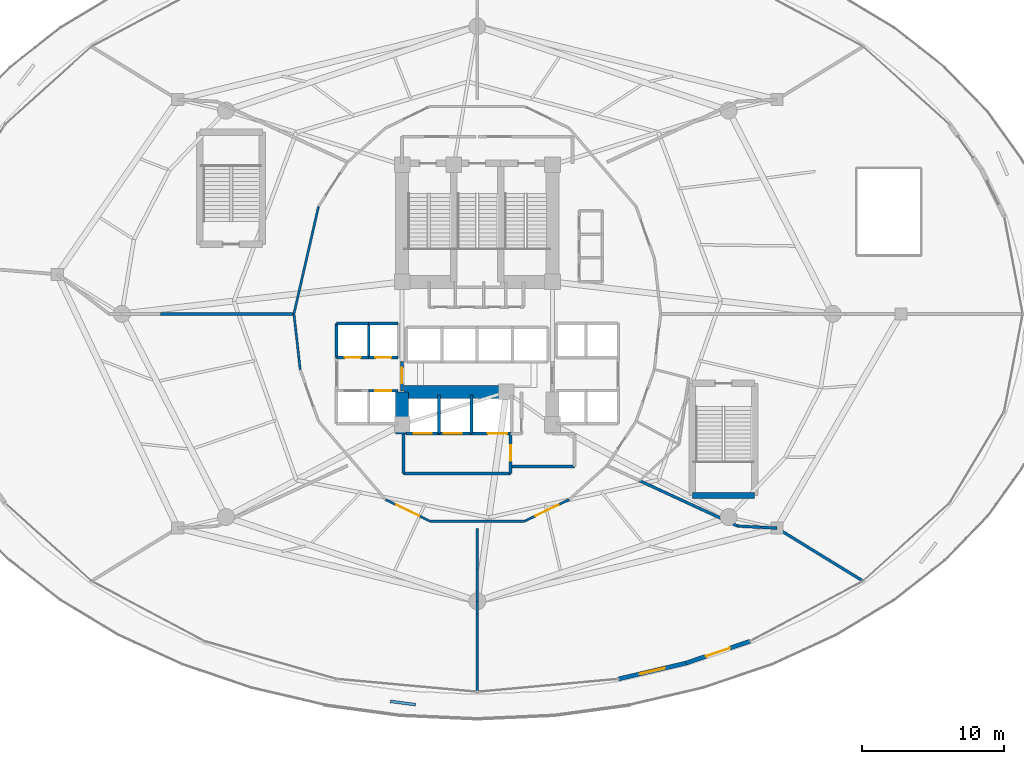
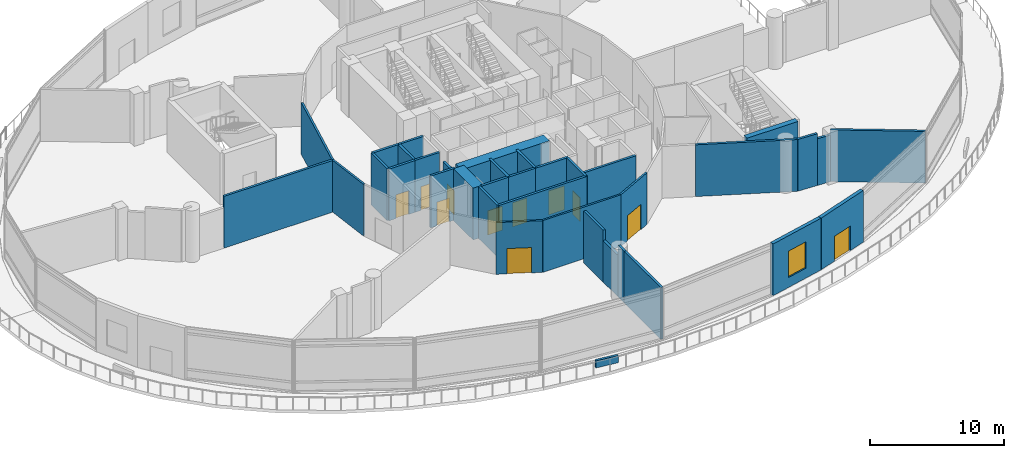
# One storey, part 26 of 37: 37 walls, 11 doors, 1 window, 12 openings.
"""IFC4 building model written with IfcOpenShell, lengths in metres."""

from ifc_helpers import new_model, si_unit, direction, frame, frame_2d, origin, place, context, subcontext, project, spatial, rectangle, extrude, material, layer, layer_set, type_object, element, fill, save


model = new_model("IFC4")

# Units and contexts
model_context = context("Model", 3, precision=1e-05, world=origin(), true_north=direction((0.0, 1.0)))
body_context = subcontext(model_context, "Body", "Model", "MODEL_VIEW")
ifc_project = project(units=[si_unit("LENGTHUNIT", "METRE"), si_unit("AREAUNIT", "SQUARE_METRE"), si_unit("VOLUMEUNIT", "CUBIC_METRE"), si_unit("PLANEANGLEUNIT", "RADIAN"), si_unit("MASSUNIT", "GRAM", prefix="KILO")], contexts=[model_context])

# Site, building, storey
site_placement = place(None, origin())
site = spatial("IfcSite", under=ifc_project, at=site_placement, CompositionType="ELEMENT")
building_placement = place(site_placement, origin())
building = spatial("IfcBuilding", under=site, at=building_placement, Name="Nuhasar Tower", CompositionType="ELEMENT")
storey_placement = place(building_placement, frame((0.0, 0.0, 6.0)))
storey = spatial("IfcBuildingStorey", under=building, at=storey_placement, Name="L01", CompositionType="ELEMENT", Elevation=6.0)

# Wall, opening, window
ifc_material_1 = material(Name="Concrete C45/55", Category="concrete")
ifc_layer_1 = layer(ifc_material_1, 0.239990234375)
ifc_material_2 = material(Name="Limestone Ashlar", Category="masonry")
ifc_layer_2 = layer(ifc_material_2, 0.06005859375)
ifc_layer_set_1 = layer_set([ifc_layer_1, ifc_layer_2], Name="Concrete C45/55")
wall_type_1 = type_object("IfcWallType", Name="WL-ARC-300", PredefinedType="STANDARD", material=ifc_layer_set_1)
wall_1_placement = place(storey_placement, frame((53.7099609375, 2.18798828125, 0.0), z_axis=(0.0, 0.0, 1.0), x_axis=(-0.973433532114, -0.228969776514, 0.0)))
wall_1 = element("IfcWall", 1, at=wall_1_placement, inside=storey, type_object=wall_type_1, Name="L01 Limestone Arcade Spandrel Pier 20-1", PredefinedType="STANDARD", context=body_context, shape_type="SweptSolid", body=[
    extrude(rectangle(XDim=4.890869140625, YDim=0.300048828125, at=frame_2d((2.4453125, 0.0))), origin(), (0.0, 0.0, 1.0), 4.699951171875),
])
opening_1_placement = place(wall_1_placement, frame((1.544921875, 0.0, 0.89990234375)))
opening_1 = element("IfcOpeningElement", 2, at=opening_1_placement, cuts=wall_1, Name="Opening WX-01", PredefinedType="OPENING", context=body_context, shape_type="SweptSolid", body=[
    extrude(rectangle(XDim=1.800048828125, YDim=2.39990234375, at=frame_2d((0.89990234375, 1.199951171875))), frame((0.0, 0.16015625, 0.0), z_axis=(0.0, -1.0, 0.0), x_axis=(1.0, 0.0, 0.0)), (0.0, 0.0, 1.0), 0.320068359375),
])
ifc_material_3 = material(Name="Glass Double Low-E", Category="glass")
window_type = type_object("IfcWindowType", Name="WIN-ARC-1800", PartitioningType="DOUBLE_PANEL_VERTICAL", PredefinedType="WINDOW", material=ifc_material_3)
window_placement = place(opening_1_placement, origin())
window = element("IfcWindow", 3, at=window_placement, inside=storey, type_object=window_type, Name="L01 Arcade Vision Window 20", OverallHeight=2.39990234375, OverallWidth=1.800048828125, PartitioningType="DOUBLE_PANEL_VERTICAL", PredefinedType="WINDOW", context=body_context, shape_type="SweptSolid", body=[
    extrude(rectangle(XDim=1.800048828125, YDim=2.39990234375, at=frame_2d((0.89990234375, 1.199951171875))), frame((0.0, 0.030029296875, 0.0), z_axis=(0.0, -1.0, 0.0), x_axis=(1.0, 0.0, 0.0)), (0.0, 0.0, 1.0), 0.06005859375),
])
fill(opening_1, window)

# Wall, opening, door
wall_2_placement = place(storey_placement, frame((58.219970703125, 3.72900390625, 0.0), z_axis=(0.0, 0.0, 1.0), x_axis=(-0.946284884259, -0.323334065362, 0.0)))
wall_2 = element("IfcWall", 4, at=wall_2_placement, inside=storey, type_object=wall_type_1, Name="L01 Limestone Arcade Spandrel Pier 20-2", PredefinedType="STANDARD", context=body_context, shape_type="SweptSolid", body=[
    extrude(rectangle(XDim=4.76611328125, YDim=0.300048828125, at=frame_2d((2.383056640625, 0.0))), origin(), (0.0, 0.0, 1.0), 4.699951171875),
])
opening_2_placement = place(wall_2_placement, frame((1.48291015625, 0.0, 0.0)))
opening_2 = element("IfcOpeningElement", 5, at=opening_2_placement, cuts=wall_2, Name="Opening DX-02", PredefinedType="OPENING", context=body_context, shape_type="SweptSolid", body=[
    extrude(rectangle(XDim=1.800048828125, YDim=2.25, at=frame_2d((0.89990234375, 1.125))), frame((0.0, 0.16015625, 0.0), z_axis=(0.0, -1.0, 0.0), x_axis=(1.0, 0.0, 0.0)), (0.0, 0.0, 1.0), 0.320068359375),
])
ifc_material_4 = material(Name="Aluminium 6063-T6", Category="aluminium")
door_type_1 = type_object("IfcDoorType", Name="DR-TERR-1800", OperationType="DOUBLE_DOOR_SINGLE_SWING", PredefinedType="DOOR", material=ifc_material_4)
door_1_placement = place(opening_2_placement, origin())
door_1 = element("IfcDoor", 6, at=door_1_placement, inside=storey, type_object=door_type_1, Name="L01 Bustan Terrace Door 20", OperationType="DOUBLE_DOOR_SINGLE_SWING", OverallHeight=2.25, OverallWidth=1.800048828125, PredefinedType="DOOR", context=body_context, shape_type="SweptSolid", body=[
    extrude(rectangle(XDim=1.800048828125, YDim=2.25, at=frame_2d((0.89990234375, 1.125))), frame((0.0, 0.02490234375, 0.0), z_axis=(0.0, -1.0, 0.0), x_axis=(1.0, 0.0, 0.0)), (0.0, 0.0, 1.0), 0.050048828125),
])
fill(opening_2, door_1)

# Walls
ifc_material_5 = material(Name="Concrete C50/60", Category="concrete")
ifc_layer_3 = layer(ifc_material_5, 0.449951171875)
ifc_layer_set_2 = layer_set([ifc_layer_3], Name="Concrete C50/60")
wall_type_2 = type_object("IfcWallType", Name="WL-CORE-450", PredefinedType="SHEAR", material=ifc_layer_set_2)
wall_3_placement = place(storey_placement, frame((54.14990234375, 14.0, 0.0), z_axis=(0.0, 0.0, 1.0), x_axis=(1.0, 0.0, 0.0)))
element("IfcWall", 7, at=wall_3_placement, inside=storey, type_object=wall_type_2, Name="L01 Stairwell Shear Wall ST-05-S", PredefinedType="SHEAR", context=body_context, shape_type="SweptSolid", body=[
    extrude(rectangle(XDim=4.400146484375, YDim=0.449951171875, at=frame_2d((2.2001953125, 0.0))), origin(), (0.0, 0.0, 1.0), 4.699951171875),
])
ifc_material_6 = material(Name="Concrete C80/95", Category="concrete")
ifc_layer_4 = layer(ifc_material_6, 0.89990234375)
ifc_layer_set_3 = layer_set([ifc_layer_4], Name="Concrete C80/95")
wall_type_3 = type_object("IfcWallType", Name="WL-CORE-900", PredefinedType="SHEAR", material=ifc_layer_set_3)
wall_4_placement = place(storey_placement, frame((33.699951171875, 18.35009765625, 0.0), z_axis=(0.0, 0.0, 1.0), x_axis=(0.0, 1.0, 0.0)))
element("IfcWall", 8, at=wall_4_placement, inside=storey, type_object=wall_type_3, Name="L01 Core Shear Wall CW-SW CW-900", PredefinedType="SHEAR", context=body_context, shape_type="SweptSolid", body=[
    extrude(rectangle(XDim=2.949951171875, YDim=0.89990234375, at=frame_2d((1.47509765625, 0.0))), origin(), (0.0, 0.0, 1.0), 4.699951171875),
])
wall_5_placement = place(storey_placement, frame((33.699951171875, 21.300048828125, 0.0), z_axis=(0.0, 0.0, 1.0), x_axis=(1.0, 0.0, 0.0)))
element("IfcWall", 9, at=wall_5_placement, inside=storey, type_object=wall_type_3, Name="L01 Core Shear Wall CW-S1 CW-900", PredefinedType="SHEAR", context=body_context, shape_type="SweptSolid", body=[
    extrude(rectangle(XDim=7.550048828125, YDim=0.89990234375, at=frame_2d((3.77490234375, 0.0))), origin(), (0.0, 0.0, 1.0), 4.699951171875),
])
ifc_material_7 = material(Name="Gypsum Board", Category="gypsum")
ifc_layer_5 = layer(ifc_material_7, 0.159912109375)
ifc_layer_set_4 = layer_set([ifc_layer_5], Name="Gypsum Board")
wall_type_4 = type_object("IfcWallType", Name="WL-CORR-160", PredefinedType="PARTITIONING", material=ifc_layer_set_4)
wall_6_placement = place(storey_placement, frame((27.81103515625, 34.360107421875, 0.0), z_axis=(0.0, 0.0, 1.0), x_axis=(-0.223185487206, -0.974775993909, 0.0)))
element("IfcWall", 10, at=wall_6_placement, inside=storey, type_object=wall_type_4, Name="L01 Interior Partition CORR-20", PredefinedType="PARTITIONING", context=body_context, shape_type="SweptSolid", body=[
    extrude(rectangle(XDim=7.755615234375, YDim=0.159912109375, at=frame_2d((3.8779296875, 0.0))), origin(), (0.0, 0.0, 1.0), 4.699951171875),
])
wall_7_placement = place(storey_placement, frame((26.080078125, 26.800048828125, 0.0), z_axis=(0.0, 0.0, 1.0), x_axis=(0.111724363671, -0.99373923469, 0.0)))
element("IfcWall", 11, at=wall_7_placement, inside=storey, type_object=wall_type_4, Name="L01 Interior Partition CORR-24", PredefinedType="PARTITIONING", context=body_context, shape_type="SweptSolid", body=[
    extrude(rectangle(XDim=3.937744140625, YDim=0.159912109375, at=frame_2d((1.96875, 0.0))), origin(), (0.0, 0.0, 1.0), 4.699951171875),
])

# Wall, opening, door
wall_8_placement = place(storey_placement, frame((35.656005859375, 12.195068359375, 0.0), z_axis=(0.0, 0.0, 1.0), x_axis=(-0.899789784655, 0.436323668199, 0.0)))
wall_8 = element("IfcWall", 12, at=wall_8_placement, inside=storey, type_object=wall_type_4, Name="L01 Interior Partition CORR-32", PredefinedType="PARTITIONING", context=body_context, shape_type="SweptSolid", body=[
    extrude(rectangle(XDim=3.462890625, YDim=0.159912109375, at=frame_2d((1.7314453125, 0.0))), origin(), (0.0, 0.0, 1.0), 4.699951171875),
])
opening_3_placement = place(wall_8_placement, frame((0.83203125, 0.0, 0.0)))
opening_3 = element("IfcOpeningElement", 13, at=opening_3_placement, cuts=wall_8, Name="Opening DB-02", PredefinedType="OPENING", context=body_context, shape_type="SweptSolid", body=[
    extrude(rectangle(XDim=1.800048828125, YDim=2.300048828125, at=frame_2d((0.89990234375, 1.14990234375))), frame((0.0, 0.08984375, 0.0), z_axis=(0.0, -1.0, 0.0), x_axis=(1.0, 0.0, 0.0)), (0.0, 0.0, 1.0), 0.179931640625),
])
door_type_2 = type_object("IfcDoorType", Name="DR-BALL-FD60-1800", OperationType="DOUBLE_DOOR_SINGLE_SWING", PredefinedType="DOOR", material=ifc_material_4)
door_2_placement = place(opening_3_placement, origin())
door_2 = element("IfcDoor", 14, at=door_2_placement, inside=storey, type_object=door_type_2, Name="L01 Bustan Terrace Restaurant Door", OperationType="DOUBLE_DOOR_SINGLE_SWING", OverallHeight=2.300048828125, OverallWidth=1.800048828125, PredefinedType="DOOR", context=body_context, shape_type="SweptSolid", body=[
    extrude(rectangle(XDim=1.800048828125, YDim=2.300048828125, at=frame_2d((0.89990234375, 1.14990234375))), frame((0.0, 0.02490234375, 0.0), z_axis=(0.0, -1.0, 0.0), x_axis=(1.0, 0.0, 0.0)), (0.0, 0.0, 1.0), 0.050048828125),
])
fill(opening_3, door_2)

# Wall
wall_9_placement = place(storey_placement, frame((35.656005859375, 12.195068359375, 0.0), z_axis=(0.0, 0.0, 1.0), x_axis=(1.0, 0.0, 0.0)))
element("IfcWall", 15, at=wall_9_placement, inside=storey, type_object=wall_type_4, Name="L01 Interior Partition CORR-34", PredefinedType="PARTITIONING", context=body_context, shape_type="SweptSolid", body=[
    extrude(rectangle(XDim=6.68798828125, YDim=0.159912109375, at=frame_2d((3.343994140625, 0.0))), origin(), (0.0, 0.0, 1.0), 4.699951171875),
])

# Wall, opening, door
wall_10_placement = place(storey_placement, frame((45.4599609375, 13.7060546875, 0.0), z_axis=(0.0, 0.0, 1.0), x_axis=(-0.899789784655, -0.436323668199, 0.0)))
wall_10 = element("IfcWall", 16, at=wall_10_placement, inside=storey, type_object=wall_type_4, Name="L01 Interior Partition CORR-38", PredefinedType="PARTITIONING", context=body_context, shape_type="SweptSolid", body=[
    extrude(rectangle(XDim=3.462890625, YDim=0.159912109375, at=frame_2d((1.7314453125, 0.0))), origin(), (0.0, 0.0, 1.0), 4.699951171875),
])
opening_4_placement = place(wall_10_placement, frame((0.83203125, 0.0, 0.0)))
opening_4 = element("IfcOpeningElement", 17, at=opening_4_placement, cuts=wall_10, Name="Opening DB-02", PredefinedType="OPENING", context=body_context, shape_type="SweptSolid", body=[
    extrude(rectangle(XDim=1.800048828125, YDim=2.300048828125, at=frame_2d((0.89990234375, 1.14990234375))), frame((0.0, 0.08984375, 0.0), z_axis=(0.0, -1.0, 0.0), x_axis=(1.0, 0.0, 0.0)), (0.0, 0.0, 1.0), 0.179931640625),
])
door_3_placement = place(opening_4_placement, origin())
door_3 = element("IfcDoor", 18, at=door_3_placement, inside=storey, type_object=door_type_2, Name="L01 VIP Majlis Lounge Door", OperationType="DOUBLE_DOOR_SINGLE_SWING", OverallHeight=2.300048828125, OverallWidth=1.800048828125, PredefinedType="DOOR", context=body_context, shape_type="SweptSolid", body=[
    extrude(rectangle(XDim=1.800048828125, YDim=2.300048828125, at=frame_2d((0.89990234375, 1.14990234375))), frame((0.0, 0.02490234375, 0.0), z_axis=(0.0, -1.0, 0.0), x_axis=(1.0, 0.0, 0.0)), (0.0, 0.0, 1.0), 0.050048828125),
])
fill(opening_4, door_3)

ifc_layer_6 = layer(ifc_material_1, 0.199951171875)
ifc_layer_set_5 = layer_set([ifc_layer_6], Name="Concrete C45/55")
wall_type_5 = type_object("IfcWallType", Name="WL-LOBBY-200", PredefinedType="SOLIDWALL", material=ifc_layer_set_5)
wall_11_placement = place(storey_placement, frame((33.699951171875, 21.35009765625, 0.0), z_axis=(0.0, 0.0, 1.0), x_axis=(0.0, 1.0, 0.0)))
wall_11 = element("IfcWall", 19, at=wall_11_placement, inside=storey, type_object=wall_type_5, Name="L01 Interior Partition LLBH-W", PredefinedType="SOLIDWALL", context=body_context, shape_type="SweptSolid", body=[
    extrude(rectangle(XDim=2.099853515625, YDim=0.199951171875, at=frame_2d((1.0498046875, 0.0))), origin(), (0.0, 0.0, 1.0), 3.919921875),
])
opening_5_placement = place(wall_11_placement, frame((0.550048828125, 0.0, 0.0)))
opening_5 = element("IfcOpeningElement", 20, at=opening_5_placement, cuts=wall_11, Name="Opening DS-02", PredefinedType="OPENING", context=body_context, shape_type="SweptSolid", body=[
    extrude(rectangle(XDim=1.10009765625, YDim=2.14990234375, at=frame_2d((0.550048828125, 1.074951171875))), frame((0.0, 0.10986328125, 0.0), z_axis=(0.0, -1.0, 0.0), x_axis=(1.0, 0.0, 0.0)), (0.0, 0.0, 1.0), 0.219970703125),
])
ifc_material_8 = material(Name="Steel S355", Category="steel")
door_type_3 = type_object("IfcDoorType", Name="DR-FFL-FD120-1100", OperationType="NOTDEFINED", PredefinedType="DOOR", material=ifc_material_8)
door_4_placement = place(opening_5_placement, origin())
door_4 = element("IfcDoor", 21, at=door_4_placement, inside=storey, type_object=door_type_3, Name="L01 High-Rise Lobby West Door", OperationType="SINGLE_SWING_RIGHT", OverallHeight=2.14990234375, OverallWidth=1.10009765625, PredefinedType="DOOR", context=body_context, shape_type="SweptSolid", body=[
    extrude(rectangle(XDim=1.10009765625, YDim=2.14990234375, at=frame_2d((0.550048828125, 1.074951171875))), frame((0.0, 0.02490234375, 0.0), z_axis=(0.0, -1.0, 0.0), x_axis=(1.0, 0.0, 0.0)), (0.0, 0.0, 1.0), 0.050048828125),
])
fill(opening_5, door_4)

# Walls
wall_12_placement = place(storey_placement, frame((33.800048828125, 15.550048828125, 0.0), z_axis=(0.0, 0.0, 1.0), x_axis=(1.0, 0.0, 0.0)))
element("IfcWall", 22, at=wall_12_placement, inside=storey, type_object=wall_type_5, Name="L01 Interior Partition FFL-S", PredefinedType="SOLIDWALL", context=body_context, shape_type="SweptSolid", body=[
    extrude(rectangle(XDim=7.550048828125, YDim=0.199951171875, at=frame_2d((3.77490234375, 0.0))), origin(), (0.0, 0.0, 1.0), 4.699951171875),
])
wall_13_placement = place(storey_placement, frame((33.800048828125, 15.550048828125, 0.0), z_axis=(0.0, 0.0, 1.0), x_axis=(0.0, 1.0, 0.0)))
element("IfcWall", 23, at=wall_13_placement, inside=storey, type_object=wall_type_5, Name="L01 Interior Partition FFL-W", PredefinedType="SOLIDWALL", context=body_context, shape_type="SweptSolid", body=[
    extrude(rectangle(XDim=2.800048828125, YDim=0.199951171875, at=frame_2d((1.39990234375, 0.0))), origin(), (0.0, 0.0, 1.0), 4.699951171875),
])

# Wall, opening, door
wall_14_placement = place(storey_placement, frame((41.35009765625, 15.550048828125, 0.0), z_axis=(0.0, 0.0, 1.0), x_axis=(0.0, 1.0, 0.0)))
wall_14 = element("IfcWall", 24, at=wall_14_placement, inside=storey, type_object=wall_type_5, Name="L01 Interior Partition FFL-E", PredefinedType="SOLIDWALL", context=body_context, shape_type="SweptSolid", body=[
    extrude(rectangle(XDim=2.800048828125, YDim=0.199951171875, at=frame_2d((1.39990234375, 0.0))), origin(), (0.0, 0.0, 1.0), 4.699951171875),
])
opening_6_placement = place(wall_14_placement, frame((0.89990234375, 0.0, 0.0)))
opening_6 = element("IfcOpeningElement", 25, at=opening_6_placement, cuts=wall_14, Name="Opening DS-02", PredefinedType="OPENING", context=body_context, shape_type="SweptSolid", body=[
    extrude(rectangle(XDim=1.10009765625, YDim=2.14990234375, at=frame_2d((0.550048828125, 1.074951171875))), frame((0.0, 0.10986328125, 0.0), z_axis=(0.0, -1.0, 0.0), x_axis=(1.0, 0.0, 0.0)), (0.0, 0.0, 1.0), 0.219970703125),
])
door_5_placement = place(opening_6_placement, origin())
door_5 = element("IfcDoor", 26, at=door_5_placement, inside=storey, type_object=door_type_3, Name="L01 Firefighting Lobby Door", OperationType="SINGLE_SWING_RIGHT", OverallHeight=2.14990234375, OverallWidth=1.10009765625, PredefinedType="DOOR", context=body_context, shape_type="SweptSolid", body=[
    extrude(rectangle(XDim=1.10009765625, YDim=2.14990234375, at=frame_2d((0.550048828125, 1.074951171875))), frame((0.0, 0.02490234375, 0.0), z_axis=(0.0, -1.0, 0.0), x_axis=(1.0, 0.0, 0.0)), (0.0, 0.0, 1.0), 0.050048828125),
])
fill(opening_6, door_5)

# Walls
wall_15_placement = place(storey_placement, frame((41.35009765625, 16.050048828125, 0.0), z_axis=(0.0, 0.0, 1.0), x_axis=(1.0, 0.0, 0.0)))
element("IfcWall", 27, at=wall_15_placement, inside=storey, type_object=wall_type_5, Name="L01 Interior Partition SVLV-S", PredefinedType="SOLIDWALL", context=body_context, shape_type="SweptSolid", body=[
    extrude(rectangle(XDim=4.5, YDim=0.199951171875, at=frame_2d((2.25, 0.0))), origin(), (0.0, 0.0, 1.0), 4.699951171875),
])
ifc_layer_7 = layer(ifc_material_1, 0.199951171875)
ifc_layer_set_6 = layer_set([ifc_layer_7], Name="Concrete C45/55")
wall_type_6 = type_object("IfcWallType", Name="WL-PLANTER-200", PredefinedType="ELEMENTEDWALL", material=ifc_layer_set_6)
wall_16_placement = place(storey_placement, frame((34.6630859375, -0.740966796875, 0.0), z_axis=(0.0, 0.0, 1.0), x_axis=(-0.991446905745, 0.130510662743, 0.0)))
element("IfcWall", 28, at=wall_16_placement, inside=storey, type_object=wall_type_6, Name="L01 Bustan Garden Planter Curb 05", PredefinedType="ELEMENTEDWALL", context=body_context, shape_type="SweptSolid", body=[
    extrude(rectangle(XDim=1.799560546875, YDim=0.199951171875, at=frame_2d((0.89990234375, 0.0))), origin(), (0.0, 0.0, 1.0), 0.64990234375),
])

# Wall, opening, door
ifc_layer_8 = layer(ifc_material_1, 0.199951171875)
ifc_layer_set_7 = layer_set([ifc_layer_8], Name="Concrete C45/55")
wall_type_7 = type_object("IfcWallType", Name="WL-SHAFT-200", PredefinedType="SOLIDWALL", material=ifc_layer_set_7)
wall_17_placement = place(storey_placement, frame((29.070068359375, 23.719970703125, 0.0), z_axis=(0.0, 0.0, 1.0), x_axis=(1.0, 0.0, 0.0)))
wall_17 = element("IfcWall", 29, at=wall_17_placement, inside=storey, type_object=wall_type_7, Name="L01 Interior Partition SHF-PL-L01-S", PredefinedType="SOLIDWALL", context=body_context, shape_type="SweptSolid", body=[
    extrude(rectangle(XDim=2.309814453125, YDim=0.199951171875, at=frame_2d((1.15478515625, 0.0))), origin(), (0.0, 0.0, 1.0), 4.699951171875),
])
opening_7_placement = place(wall_17_placement, frame((0.60498046875, 0.0, 0.0)))
opening_7 = element("IfcOpeningElement", 30, at=opening_7_placement, cuts=wall_17, Name="Opening LD-L01", PredefinedType="OPENING", context=body_context, shape_type="SweptSolid", body=[
    extrude(rectangle(XDim=1.10009765625, YDim=2.14990234375, at=frame_2d((0.550048828125, 1.074951171875))), frame((0.0, 0.10986328125, 0.0), z_axis=(0.0, -1.0, 0.0), x_axis=(1.0, 0.0, 0.0)), (0.0, 0.0, 1.0), 0.219970703125),
])
ifc_material_9 = material(Name="Stainless Steel 316L", Category="steel")
door_type_4 = type_object("IfcDoorType", Name="LD-PAX-1100", OperationType="DOUBLE_DOOR_SLIDING", PredefinedType="DOOR", material=ifc_material_9)
door_6_placement = place(opening_7_placement, origin())
door_6 = element("IfcDoor", 31, at=door_6_placement, inside=storey, type_object=door_type_4, Name="L01 Lift Landing Door PL-L01", OperationType="DOUBLE_DOOR_SLIDING", OverallHeight=2.14990234375, OverallWidth=1.10009765625, PredefinedType="DOOR", context=body_context, shape_type="SweptSolid", body=[
    extrude(rectangle(XDim=1.10009765625, YDim=2.14990234375, at=frame_2d((0.550048828125, 1.074951171875))), frame((0.0, 0.02490234375, 0.0), z_axis=(0.0, -1.0, 0.0), x_axis=(1.0, 0.0, 0.0)), (0.0, 0.0, 1.0), 0.050048828125),
])
fill(opening_7, door_6)

# Walls
wall_18_placement = place(storey_placement, frame((29.070068359375, 26.1298828125, 0.0), z_axis=(0.0, 0.0, 1.0), x_axis=(1.0, 0.0, 0.0)))
element("IfcWall", 32, at=wall_18_placement, inside=storey, type_object=wall_type_7, Name="L01 Interior Partition SHF-PL-L01-N", PredefinedType="SOLIDWALL", context=body_context, shape_type="SweptSolid", body=[
    extrude(rectangle(XDim=2.309814453125, YDim=0.199951171875, at=frame_2d((1.15478515625, 0.0))), origin(), (0.0, 0.0, 1.0), 4.699951171875),
])
for number, where, z_axis, x_axis, name in (
    (33, (29.070068359375, 23.719970703125, 0.0), (0.0, 0.0, 1.0), (0.0, 1.0, 0.0), "L01 Interior Partition SHF-PL-L01-W"),
    (34, (31.35009765625, 23.719970703125, 0.0), (0.0, 0.0, 1.0), (0.0, 1.0, 0.0), "L01 Interior Partition SHF-PL-L01-E"),
):
    element("IfcWall", number, at=place(storey_placement, frame(where, z_axis=z_axis, x_axis=x_axis)), inside=storey, type_object=wall_type_7, Name=name, PredefinedType="SOLIDWALL", context=body_context, shape_type="SweptSolid", body=[
        extrude(rectangle(XDim=2.409912109375, YDim=0.199951171875, at=frame_2d((1.205078125, 0.0))), origin(), (0.0, 0.0, 1.0), 4.699951171875),
    ])

# Wall, opening, door
wall_19_placement = place(storey_placement, frame((31.320068359375, 23.719970703125, 0.0), z_axis=(0.0, 0.0, 1.0), x_axis=(1.0, 0.0, 0.0)))
wall_19 = element("IfcWall", 35, at=wall_19_placement, inside=storey, type_object=wall_type_7, Name="L01 Interior Partition SHF-PL-L02-S", PredefinedType="SOLIDWALL", context=body_context, shape_type="SweptSolid", body=[
    extrude(rectangle(XDim=2.10986328125, YDim=0.199951171875, at=frame_2d((1.054931640625, 0.0))), origin(), (0.0, 0.0, 1.0), 4.699951171875),
])
opening_8_placement = place(wall_19_placement, frame((0.5048828125, 0.0, 0.0)))
opening_8 = element("IfcOpeningElement", 36, at=opening_8_placement, cuts=wall_19, Name="Opening LD-L02", PredefinedType="OPENING", context=body_context, shape_type="SweptSolid", body=[
    extrude(rectangle(XDim=1.10009765625, YDim=2.14990234375, at=frame_2d((0.550048828125, 1.074951171875))), frame((0.0, 0.10986328125, 0.0), z_axis=(0.0, -1.0, 0.0), x_axis=(1.0, 0.0, 0.0)), (0.0, 0.0, 1.0), 0.219970703125),
])
door_7_placement = place(opening_8_placement, origin())
door_7 = element("IfcDoor", 37, at=door_7_placement, inside=storey, type_object=door_type_4, Name="L01 Lift Landing Door PL-L02", OperationType="DOUBLE_DOOR_SLIDING", OverallHeight=2.14990234375, OverallWidth=1.10009765625, PredefinedType="DOOR", context=body_context, shape_type="SweptSolid", body=[
    extrude(rectangle(XDim=1.10009765625, YDim=2.14990234375, at=frame_2d((0.550048828125, 1.074951171875))), frame((0.0, 0.02490234375, 0.0), z_axis=(0.0, -1.0, 0.0), x_axis=(1.0, 0.0, 0.0)), (0.0, 0.0, 1.0), 0.050048828125),
])
fill(opening_8, door_7)

# Wall
wall_20_placement = place(storey_placement, frame((31.320068359375, 26.1298828125, 0.0), z_axis=(0.0, 0.0, 1.0), x_axis=(1.0, 0.0, 0.0)))
element("IfcWall", 38, at=wall_20_placement, inside=storey, type_object=wall_type_7, Name="L01 Interior Partition SHF-PL-L02-N", PredefinedType="SOLIDWALL", context=body_context, shape_type="SweptSolid", body=[
    extrude(rectangle(XDim=2.10986328125, YDim=0.199951171875, at=frame_2d((1.054931640625, 0.0))), origin(), (0.0, 0.0, 1.0), 4.699951171875),
])

# Wall, opening, door
wall_21_placement = place(storey_placement, frame((31.320068359375, 21.3798828125, 0.0), z_axis=(0.0, 0.0, 1.0), x_axis=(1.0, 0.0, 0.0)))
wall_21 = element("IfcWall", 39, at=wall_21_placement, inside=storey, type_object=wall_type_7, Name="L01 Interior Partition SHF-PL-L04-N", PredefinedType="SOLIDWALL", context=body_context, shape_type="SweptSolid", body=[
    extrude(rectangle(XDim=2.10986328125, YDim=0.199951171875, at=frame_2d((1.054931640625, 0.0))), origin(), (0.0, 0.0, 1.0), 4.699951171875),
])
opening_9_placement = place(wall_21_placement, frame((0.5048828125, 0.0, 0.0)))
opening_9 = element("IfcOpeningElement", 40, at=opening_9_placement, cuts=wall_21, Name="Opening LD-L04", PredefinedType="OPENING", context=body_context, shape_type="SweptSolid", body=[
    extrude(rectangle(XDim=1.10009765625, YDim=2.14990234375, at=frame_2d((0.550048828125, 1.074951171875))), frame((0.0, 0.10986328125, 0.0), z_axis=(0.0, -1.0, 0.0), x_axis=(1.0, 0.0, 0.0)), (0.0, 0.0, 1.0), 0.219970703125),
])
door_8_placement = place(opening_9_placement, origin())
door_8 = element("IfcDoor", 41, at=door_8_placement, inside=storey, type_object=door_type_4, Name="L01 Lift Landing Door PL-L04", OperationType="DOUBLE_DOOR_SLIDING", OverallHeight=2.14990234375, OverallWidth=1.10009765625, PredefinedType="DOOR", context=body_context, shape_type="SweptSolid", body=[
    extrude(rectangle(XDim=1.10009765625, YDim=2.14990234375, at=frame_2d((0.550048828125, 1.074951171875))), frame((0.0, 0.02490234375, 0.0), z_axis=(0.0, -1.0, 0.0), x_axis=(1.0, 0.0, 0.0)), (0.0, 0.0, 1.0), 0.050048828125),
])
fill(opening_9, door_8)

wall_22_placement = place(storey_placement, frame((33.969970703125, 18.3701171875, 0.0), z_axis=(0.0, 0.0, 1.0), x_axis=(1.0, 0.0, 0.0)))
wall_22 = element("IfcWall", 42, at=wall_22_placement, inside=storey, type_object=wall_type_7, Name="L01 Interior Partition SHF-FFL-01-S", PredefinedType="SOLIDWALL", context=body_context, shape_type="SweptSolid", body=[
    extrude(rectangle(XDim=2.360107421875, YDim=0.199951171875, at=frame_2d((1.18017578125, 0.0))), origin(), (0.0, 0.0, 1.0), 4.699951171875),
])
opening_10_placement = place(wall_22_placement, frame((0.554931640625, 0.0, 0.0)))
opening_10 = element("IfcOpeningElement", 43, at=opening_10_placement, cuts=wall_22, Name="Opening LD-F01", PredefinedType="OPENING", context=body_context, shape_type="SweptSolid", body=[
    extrude(rectangle(XDim=1.25, YDim=2.199951171875, at=frame_2d((0.625, 1.10009765625))), frame((0.0, 0.10986328125, 0.0), z_axis=(0.0, -1.0, 0.0), x_axis=(1.0, 0.0, 0.0)), (0.0, 0.0, 1.0), 0.219970703125),
])
door_type_5 = type_object("IfcDoorType", Name="LD-FFL-1250", OperationType="DOUBLE_DOOR_SLIDING", PredefinedType="DOOR", material=ifc_material_9)
door_9_placement = place(opening_10_placement, origin())
door_9 = element("IfcDoor", 44, at=door_9_placement, inside=storey, type_object=door_type_5, Name="L01 Lift Landing Door FFL-01", OperationType="DOUBLE_DOOR_SLIDING", OverallHeight=2.199951171875, OverallWidth=1.25, PredefinedType="DOOR", context=body_context, shape_type="SweptSolid", body=[
    extrude(rectangle(XDim=1.25, YDim=2.199951171875, at=frame_2d((0.625, 1.10009765625))), frame((0.0, 0.02490234375, 0.0), z_axis=(0.0, -1.0, 0.0), x_axis=(1.0, 0.0, 0.0)), (0.0, 0.0, 1.0), 0.050048828125),
])
fill(opening_10, door_9)

# Wall
wall_23_placement = place(storey_placement, frame((36.300048828125, 18.3701171875, 0.0), z_axis=(0.0, 0.0, 1.0), x_axis=(0.0, 1.0, 0.0)))
element("IfcWall", 45, at=wall_23_placement, inside=storey, type_object=wall_type_7, Name="L01 Interior Partition SHF-FFL-01-E", PredefinedType="SOLIDWALL", context=body_context, shape_type="SweptSolid", body=[
    extrude(rectangle(XDim=2.7099609375, YDim=0.199951171875, at=frame_2d((1.35498046875, 0.0))), origin(), (0.0, 0.0, 1.0), 4.699951171875),
])

# Wall, opening, door
wall_24_placement = place(storey_placement, frame((36.27001953125, 18.3701171875, 0.0), z_axis=(0.0, 0.0, 1.0), x_axis=(1.0, 0.0, 0.0)))
wall_24 = element("IfcWall", 46, at=wall_24_placement, inside=storey, type_object=wall_type_7, Name="L01 Interior Partition SHF-FFL-02-S", PredefinedType="SOLIDWALL", context=body_context, shape_type="SweptSolid", body=[
    extrude(rectangle(XDim=2.35986328125, YDim=0.199951171875, at=frame_2d((1.179931640625, 0.0))), origin(), (0.0, 0.0, 1.0), 4.699951171875),
])
opening_11_placement = place(wall_24_placement, frame((0.3798828125, 0.0, 0.0)))
opening_11 = element("IfcOpeningElement", 47, at=opening_11_placement, cuts=wall_24, Name="Opening LD-F02", PredefinedType="OPENING", context=body_context, shape_type="SweptSolid", body=[
    extrude(rectangle(XDim=1.25, YDim=2.199951171875, at=frame_2d((0.625, 1.10009765625))), frame((0.0, 0.10986328125, 0.0), z_axis=(0.0, -1.0, 0.0), x_axis=(1.0, 0.0, 0.0)), (0.0, 0.0, 1.0), 0.219970703125),
])
door_10_placement = place(opening_11_placement, origin())
door_10 = element("IfcDoor", 48, at=door_10_placement, inside=storey, type_object=door_type_5, Name="L01 Lift Landing Door FFL-02", OperationType="DOUBLE_DOOR_SLIDING", OverallHeight=2.199951171875, OverallWidth=1.25, PredefinedType="DOOR", context=body_context, shape_type="SweptSolid", body=[
    extrude(rectangle(XDim=1.25, YDim=2.199951171875, at=frame_2d((0.625, 1.10009765625))), frame((0.0, 0.02490234375, 0.0), z_axis=(0.0, -1.0, 0.0), x_axis=(1.0, 0.0, 0.0)), (0.0, 0.0, 1.0), 0.050048828125),
])
fill(opening_11, door_10)

# Wall
wall_25_placement = place(storey_placement, frame((38.60009765625, 18.3701171875, 0.0), z_axis=(0.0, 0.0, 1.0), x_axis=(0.0, 1.0, 0.0)))
element("IfcWall", 49, at=wall_25_placement, inside=storey, type_object=wall_type_7, Name="L01 Interior Partition SHF-FFL-02-E", PredefinedType="SOLIDWALL", context=body_context, shape_type="SweptSolid", body=[
    extrude(rectangle(XDim=2.7099609375, YDim=0.199951171875, at=frame_2d((1.35498046875, 0.0))), origin(), (0.0, 0.0, 1.0), 4.699951171875),
])

# Wall, opening, door
wall_26_placement = place(storey_placement, frame((38.570068359375, 18.3701171875, 0.0), z_axis=(0.0, 0.0, 1.0), x_axis=(1.0, 0.0, 0.0)))
wall_26 = element("IfcWall", 50, at=wall_26_placement, inside=storey, type_object=wall_type_7, Name="L01 Interior Partition SHF-SVL-01-S", PredefinedType="SOLIDWALL", context=body_context, shape_type="SweptSolid", body=[
    extrude(rectangle(XDim=2.829833984375, YDim=0.199951171875, at=frame_2d((1.4150390625, 0.0))), origin(), (0.0, 0.0, 1.0), 4.699951171875),
])
opening_12_placement = place(wall_26_placement, frame((1.179931640625, 0.0, 0.0)))
opening_12 = element("IfcOpeningElement", 51, at=opening_12_placement, cuts=wall_26, Name="Opening LD-S01", PredefinedType="OPENING", context=body_context, shape_type="SweptSolid", body=[
    extrude(rectangle(XDim=1.35009765625, YDim=2.179931640625, at=frame_2d((0.675048828125, 1.08984375))), frame((0.0, 0.10986328125, 0.0), z_axis=(0.0, -1.0, 0.0), x_axis=(1.0, 0.0, 0.0)), (0.0, 0.0, 1.0), 0.219970703125),
])
door_type_6 = type_object("IfcDoorType", Name="LD-SVL-1350", OperationType="DOUBLE_DOOR_SLIDING", PredefinedType="DOOR", material=ifc_material_9)
door_11_placement = place(opening_12_placement, origin())
door_11 = element("IfcDoor", 52, at=door_11_placement, inside=storey, type_object=door_type_6, Name="L01 Lift Landing Door SVL-01", OperationType="DOUBLE_DOOR_SLIDING", OverallHeight=2.179931640625, OverallWidth=1.35009765625, PredefinedType="DOOR", context=body_context, shape_type="SweptSolid", body=[
    extrude(rectangle(XDim=1.35009765625, YDim=2.179931640625, at=frame_2d((0.675048828125, 1.08984375))), frame((0.0, 0.02490234375, 0.0), z_axis=(0.0, -1.0, 0.0), x_axis=(1.0, 0.0, 0.0)), (0.0, 0.0, 1.0), 0.050048828125),
])
fill(opening_12, door_11)

# Walls
ifc_material_10 = material(Name="Concrete C40/50 precast", Category="concrete")
ifc_layer_9 = layer(ifc_material_10, 0.199951171875)
ifc_layer_set_8 = layer_set([ifc_layer_9], Name="Concrete C40/50 precast")
wall_type_8 = type_object("IfcWallType", Name="WL-UNIT-200", PredefinedType="PARTITIONING", material=ifc_layer_set_8)
wall_27_placement = place(storey_placement, frame((26.080078125, 26.800048828125, 0.0), z_axis=(0.0, 0.0, 1.0), x_axis=(-1.0, 0.0, 0.0)))
element("IfcWall", 53, at=wall_27_placement, inside=storey, type_object=wall_type_8, Name="L01 Interior Partition PRAD-24-S1", PredefinedType="PARTITIONING", context=body_context, shape_type="SweptSolid", body=[
    extrude(rectangle(XDim=9.39697265625, YDim=0.199951171875, at=frame_2d((4.698486328125, 0.0))), origin(), (0.0, 0.0, 1.0), 4.699951171875),
])
wall_28_placement = place(storey_placement, frame((39.0, 11.679931640625, 0.0), z_axis=(0.0, 0.0, 1.0), x_axis=(0.0, -1.0, 0.0)))
element("IfcWall", 54, at=wall_28_placement, inside=storey, type_object=wall_type_8, Name="L01 Interior Partition PRAD-36-S1", PredefinedType="PARTITIONING", context=body_context, shape_type="SweptSolid", body=[
    extrude(rectangle(XDim=2.885009765625, YDim=0.199951171875, at=frame_2d((1.4423828125, 0.0))), origin(), (0.0, 0.0, 1.0), 4.699951171875),
])
wall_29_placement = place(storey_placement, frame((39.0, 8.794921875, 0.0), z_axis=(0.0, 0.0, 1.0), x_axis=(0.0, -1.0, 0.0)))
element("IfcWall", 55, at=wall_29_placement, inside=storey, type_object=wall_type_8, Name="L01 Interior Partition PRAD-36-S1", PredefinedType="PARTITIONING", context=body_context, shape_type="SweptSolid", body=[
    extrude(rectangle(XDim=2.259033203125, YDim=0.199951171875, at=frame_2d((1.12939453125, 0.0))), origin(), (0.0, 0.0, 1.0), 3.764892578125),
])
wall_30_placement = place(storey_placement, frame((39.0, 6.535888671875, 0.0), z_axis=(0.0, 0.0, 1.0), x_axis=(0.0, -1.0, 0.0)))
element("IfcWall", 56, at=wall_30_placement, inside=storey, type_object=wall_type_8, Name="L01 Interior Partition PRAD-36-S1", PredefinedType="PARTITIONING", context=body_context, shape_type="SweptSolid", body=[
    extrude(rectangle(XDim=0.885986328125, YDim=0.199951171875, at=frame_2d((0.44287109375, 0.0))), origin(), (0.0, 0.0, 1.0), 4.699951171875),
])
wall_31_placement = place(storey_placement, frame((39.0, 5.64990234375, 0.0), z_axis=(0.0, 0.0, 1.0), x_axis=(0.0, -1.0, 0.0)))
element("IfcWall", 57, at=wall_31_placement, inside=storey, type_object=wall_type_8, Name="L01 Interior Partition PRAD-36-S2", PredefinedType="PARTITIONING", context=body_context, shape_type="SweptSolid", body=[
    extrude(rectangle(XDim=5.454833984375, YDim=0.199951171875, at=frame_2d((2.7275390625, 0.0))), origin(), (0.0, 0.0, 1.0), 4.699951171875),
])
wall_32_placement = place(storey_placement, frame((50.43896484375, 15.04296875, 0.0), z_axis=(0.0, 0.0, 1.0), x_axis=(0.907524397356, -0.419999366908, 0.0)))
element("IfcWall", 58, at=wall_32_placement, inside=storey, type_object=wall_type_8, Name="L01 Interior Partition PRAD-42-S2", PredefinedType="PARTITIONING", context=body_context, shape_type="SweptSolid", body=[
    extrude(rectangle(XDim=7.6142578125, YDim=0.199951171875, at=frame_2d((3.80712890625, 0.0))), origin(), (0.0, 0.0, 1.0), 4.699951171875),
])
wall_33_placement = place(storey_placement, frame((57.34912109375, 11.844970703125, 0.0), z_axis=(0.0, 0.0, 1.0), x_axis=(0.998692725363, -0.051115949639, 0.0)))
element("IfcWall", 59, at=wall_33_placement, inside=storey, type_object=wall_type_8, Name="L01 Interior Partition PRAD-42-S3", PredefinedType="PARTITIONING", context=body_context, shape_type="SweptSolid", body=[
    extrude(rectangle(XDim=1.64306640625, YDim=0.199951171875, at=frame_2d((0.821533203125, 0.0))), origin(), (0.0, 0.0, 1.0), 4.699951171875),
])
wall_34_placement = place(storey_placement, frame((58.989990234375, 11.760986328125, 0.0), z_axis=(0.0, 0.0, 1.0), x_axis=(0.998649603439, -0.051951607785, 0.0)))
element("IfcWall", 60, at=wall_34_placement, inside=storey, type_object=wall_type_8, Name="L01 Interior Partition PRAD-42-S3", PredefinedType="PARTITIONING", context=body_context, shape_type="SweptSolid", body=[
    extrude(rectangle(XDim=1.118408203125, YDim=0.199951171875, at=frame_2d((0.55908203125, 0.0))), origin(), (0.0, 0.0, 1.0), 4.239990234375),
])
wall_35_placement = place(storey_placement, frame((60.10693359375, 11.702880859375, 0.0), z_axis=(0.0, 0.0, 1.0), x_axis=(0.852078396496, -0.523414182293, 0.0)))
element("IfcWall", 61, at=wall_35_placement, inside=storey, type_object=wall_type_8, Name="L01 Interior Partition PRAD-42-S4", PredefinedType="PARTITIONING", context=body_context, shape_type="SweptSolid", body=[
    extrude(rectangle(XDim=7.09912109375, YDim=0.199951171875, at=frame_2d((3.549560546875, 0.0))), origin(), (0.0, 0.0, 1.0), 4.699951171875),
])

save(model, "model.ifc")
